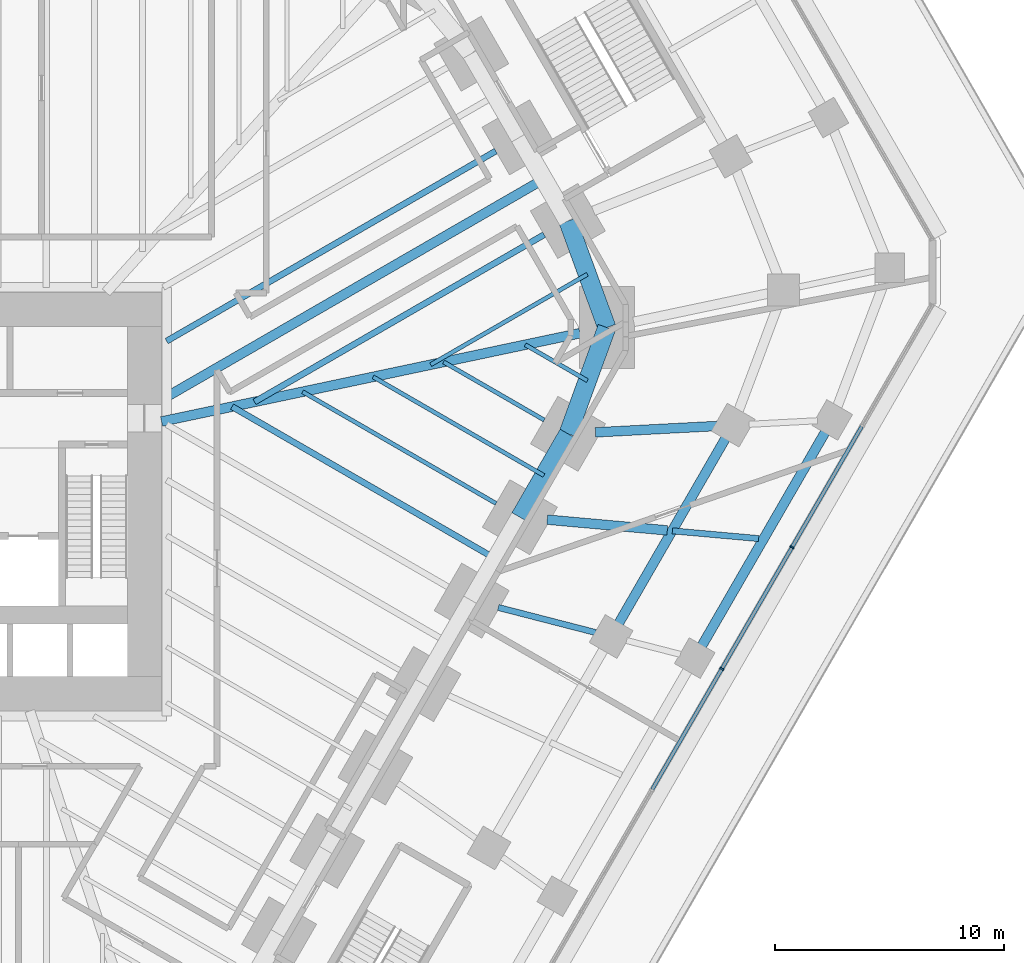
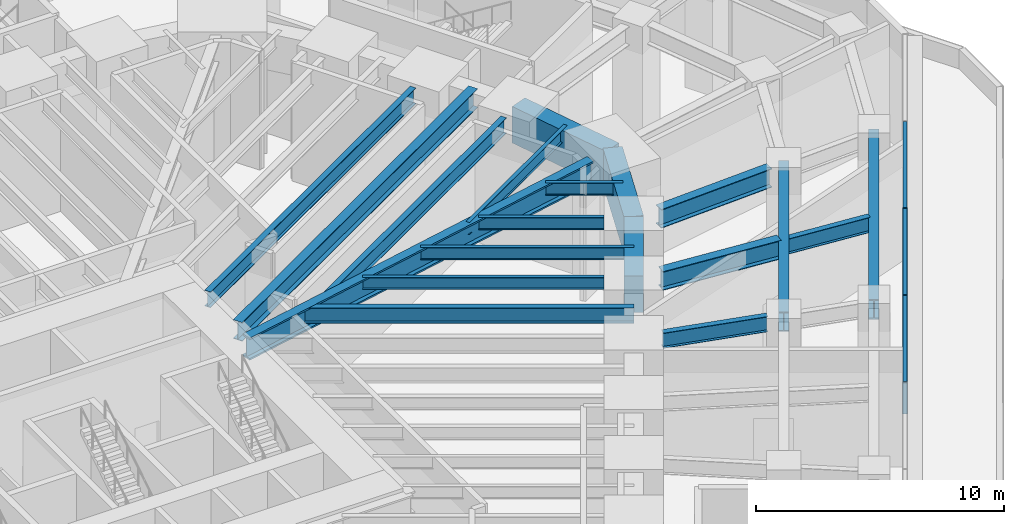
# One storey, part 8 of 25: 19 beams, 5 members, 1 element without a shape of its own.
"""IFC4 building model written with IfcOpenShell, lengths in metres."""

from ifc_helpers import new_model, si_unit, direction, frame, origin, origin_2d, place, context, subcontext, project, spatial, rectangle, i_section, extrude, material, material_profile, profile_set, type_object, element, aggregate, save


model = new_model("IFC4")

# Units and contexts
model_context = context("Model", 3, precision=1e-05, world=origin(), true_north=direction((0.0, 1.0)))
body_context = subcontext(model_context, "Body", "Model", "MODEL_VIEW")
ifc_project = project(units=[si_unit("LENGTHUNIT", "METRE"), si_unit("AREAUNIT", "SQUARE_METRE"), si_unit("VOLUMEUNIT", "CUBIC_METRE"), si_unit("PLANEANGLEUNIT", "RADIAN"), si_unit("MASSUNIT", "GRAM", prefix="KILO")], contexts=[model_context])

# Site, building, storey
site_placement = place(None, origin())
site = spatial("IfcSite", under=ifc_project, at=site_placement, CompositionType="ELEMENT")
building_placement = place(site_placement, origin())
building = spatial("IfcBuilding", under=site, at=building_placement, Name="Sandreach Pilgrim Tower", CompositionType="ELEMENT")
storey_placement = place(building_placement, frame((0.0, 0.0, 6.0)))
storey = spatial("IfcBuildingStorey", under=building, at=storey_placement, Name="L01", CompositionType="ELEMENT", Elevation=6.0)

# Curtain wall, members
ifc_material_1 = material(Name="Aluminium framed curtain wall", Category="aluminium")
curtain_wall_type = type_object("IfcCurtainWallType", Name="Podium storefront curtain wall", PredefinedType="NOTDEFINED", material=ifc_material_1)
curtain_wall_placement = place(storey_placement, origin())
curtain_wall = element("IfcCurtainWall", 1, at=curtain_wall_placement, inside=storey, type_object=curtain_wall_type, Name="CW-P L01 SE", PredefinedType="NOTDEFINED")
ifc_material_2 = material(Name="Aluminium extrusion", Category="aluminium")
ifc_material_profile_1 = material_profile(ifc_material_2, rectangle(XDim=0.070068359375, YDim=0.199951171875, at=origin_2d()), Name="CW-PM 70X200")
ifc_profile_set_1 = profile_set([ifc_material_profile_1], Name="Aluminium extrusion")
member_type_1 = type_object("IfcMemberType", Name="CW-P mullion", PredefinedType="MULLION", material=ifc_profile_set_1)
member_1_placement = place(storey_placement, frame((36.809814453125, -3.5400390625, 0.0), z_axis=(0.0, 0.0, 1.0), x_axis=(-0.5, -0.866025403784, 0.0)))
member_1 = element("IfcMember", 2, at=member_1_placement, type_object=member_type_1, Name="CW-P mullion 3", PredefinedType="MULLION", context=body_context, shape_type="SweptSolid", body=[
    extrude(rectangle(XDim=0.070068359375, YDim=0.199951171875, at=origin_2d()), origin(), (0.0, 0.0, 1.0), 5.840087890625),
])
member_2_placement = place(storey_placement, frame((33.741943359375, -8.853759765625, 0.0), z_axis=(0.0, 0.0, 1.0), x_axis=(-0.5, -0.866025403784, 0.0)))
member_2 = element("IfcMember", 3, at=member_2_placement, type_object=member_type_1, Name="CW-P mullion 4", PredefinedType="MULLION", context=body_context, shape_type="SweptSolid", body=[
    extrude(rectangle(XDim=0.070068359375, YDim=0.199951171875, at=origin_2d()), origin(), (0.0, 0.0, 1.0), 5.840087890625),
])
ifc_material_3 = material(Name="Aluminium extrusion", Category="aluminium")
ifc_material_profile_2 = material_profile(ifc_material_3, rectangle(XDim=0.159912109375, YDim=0.070068359375, at=origin_2d()), Name="CW-PT 160X70")
ifc_profile_set_2 = profile_set([ifc_material_profile_2], Name="Aluminium extrusion")
member_type_2 = type_object("IfcMemberType", Name="CW-P transom", PredefinedType="USERDEFINED", material=ifc_profile_set_2)
member_3_placement = place(storey_placement, frame((39.860107421875, 1.7431640625, 5.804931640625), z_axis=(-0.500022085096, -0.866012652573, 0.0), x_axis=(0.866012652573, -0.500022085096, 0.0)))
member_3 = element("IfcMember", 4, at=member_3_placement, type_object=member_type_2, Name="CW-P head transom 2", ObjectType="TRANSOM", PredefinedType="USERDEFINED", context=body_context, shape_type="SweptSolid", body=[
    extrude(rectangle(XDim=0.159912109375, YDim=0.070068359375, at=origin_2d()), origin(), (0.0, 0.0, 1.0), 6.065673828125),
])
member_4_placement = place(storey_placement, frame((36.792236328125, -3.570556640625, 5.804931640625), z_axis=(-0.500022085096, -0.866012652573, 0.0), x_axis=(0.866012652573, -0.500022085096, 0.0)))
member_4 = element("IfcMember", 5, at=member_4_placement, type_object=member_type_2, Name="CW-P head transom 3", ObjectType="TRANSOM", PredefinedType="USERDEFINED", context=body_context, shape_type="SweptSolid", body=[
    extrude(rectangle(XDim=0.159912109375, YDim=0.070068359375, at=origin_2d()), origin(), (0.0, 0.0, 1.0), 6.065673828125),
])
member_5_placement = place(storey_placement, frame((33.724365234375, -8.884033203125, 5.804931640625), z_axis=(-0.499991897794, -0.866030081544, 0.0), x_axis=(0.866030081544, -0.499991897794, 0.0)))
member_5 = element("IfcMember", 6, at=member_5_placement, type_object=member_type_2, Name="CW-P head transom 4", ObjectType="TRANSOM", PredefinedType="USERDEFINED", context=body_context, shape_type="SweptSolid", body=[
    extrude(rectangle(XDim=0.159912109375, YDim=0.070068359375, at=origin_2d()), origin(), (0.0, 0.0, 1.0), 6.0654296875),
])
aggregate(curtain_wall, [member_1, member_2, member_3, member_4, member_5])

# Beams
ifc_material_4 = material(Name="Steel ASTM A992 Grade 50", Category="steel")
ifc_material_profile_3 = material_profile(ifc_material_4, i_section(OverallWidth=0.424072265625, OverallDepth=1.09228515625, WebThickness=0.04541015625, FlangeThickness=0.08203125, at=origin_2d()), Name="W40X593")
ifc_profile_set_3 = profile_set([ifc_material_profile_3], Name="Steel ASTM A992 Grade 50")
beam_type_1 = type_object("IfcBeamType", Name="Corner girder W40X593", PredefinedType="BEAM", material=ifc_profile_set_3)
beam_1_placement = place(storey_placement, frame((27.53857421875, 5.814208984375, 5.2939453125), z_axis=(-0.978429884383, -0.206579189045, 0.0), x_axis=(0.206579189045, -0.978429884383, 0.0)))
element("IfcBeam", 7, at=beam_1_placement, inside=storey, type_object=beam_type_1, Name="BM L01 CG13", PredefinedType="BEAM", context=body_context, shape_type="SweptSolid", body=[
    extrude(i_section(OverallWidth=0.424072265625, OverallDepth=1.09228515625, WebThickness=0.04541015625, FlangeThickness=0.08203125, at=origin_2d()), origin(), (0.0, 0.0, 1.0), 18.691650390625),
])
ifc_material_5 = material(Name="Steel ASTM A992 Grade 50", Category="steel")
ifc_material_profile_4 = material_profile(ifc_material_5, i_section(OverallWidth=0.1787109375, OverallDepth=0.60205078125, WebThickness=0.010986328125, FlangeThickness=0.014892578125, at=origin_2d()), Name="W24X62")
ifc_profile_set_4 = profile_set([ifc_material_profile_4], Name="Steel ASTM A992 Grade 50")
beam_type_2 = type_object("IfcBeamType", Name="Floor beam W24X62", PredefinedType="BEAM", material=ifc_profile_set_4)
beam_2_placement = place(storey_placement, frame((25.97705078125, 2.016357421875, 5.5390625), z_axis=(-0.866027897259, 0.49999568115, 0.0), x_axis=(-0.49999568115, -0.866027897259, 0.0)))
element("IfcBeam", 8, at=beam_2_placement, inside=storey, type_object=beam_type_2, Name="BM L01 F14", PredefinedType="BEAM", context=body_context, shape_type="SweptSolid", body=[
    extrude(i_section(OverallWidth=0.1787109375, OverallDepth=0.60205078125, WebThickness=0.010986328125, FlangeThickness=0.014892578125, at=origin_2d()), origin(), (0.0, 0.0, 1.0), 5.0791015625),
])
beam_3_placement = place(storey_placement, frame((23.8720703125, -1.629638671875, 5.5390625), z_axis=(-0.866025751498, 0.499999397742, 0.0), x_axis=(-0.499999397742, -0.866025751498, 0.0)))
element("IfcBeam", 9, at=beam_3_placement, inside=storey, type_object=beam_type_2, Name="BM L01 F15", PredefinedType="BEAM", context=body_context, shape_type="SweptSolid", body=[
    extrude(i_section(OverallWidth=0.1787109375, OverallDepth=0.60205078125, WebThickness=0.010986328125, FlangeThickness=0.014892578125, at=origin_2d()), origin(), (0.0, 0.0, 1.0), 9.767578125),
])
beam_4_placement = place(storey_placement, frame((27.861328125, 8.390380859375, 5.5390625), z_axis=(-0.866028778003, -0.499994155636, 0.0), x_axis=(0.499994155636, -0.866028778003, 0.0)))
element("IfcBeam", 10, at=beam_4_placement, inside=storey, type_object=beam_type_2, Name="BM L01 FM12", PredefinedType="BEAM", context=body_context, shape_type="SweptSolid", body=[
    extrude(i_section(OverallWidth=0.1787109375, OverallDepth=0.60205078125, WebThickness=0.010986328125, FlangeThickness=0.014892578125, at=origin_2d()), origin(), (0.0, 0.0, 1.0), 7.90771484375),
])
beam_5_placement = place(storey_placement, frame((27.864501953125, 3.7392578125, 5.5390625), z_axis=(-0.866023718453, 0.500002919068, 0.0), x_axis=(-0.500002919068, -0.866023718453, 0.0)))
element("IfcBeam", 11, at=beam_5_placement, inside=storey, type_object=beam_type_2, Name="BM L01 FM13", PredefinedType="BEAM", context=body_context, shape_type="SweptSolid", body=[
    extrude(i_section(OverallWidth=0.1787109375, OverallDepth=0.60205078125, WebThickness=0.010986328125, FlangeThickness=0.014892578125, at=origin_2d()), origin(), (0.0, 0.0, 1.0), 3.1396484375),
])
beam_6_placement = place(storey_placement, frame((25.9638671875, -0.40673828125, 5.5390625), z_axis=(-0.866020100198, 0.500009185969, 0.0), x_axis=(-0.500009185969, -0.866020100198, 0.0)))
element("IfcBeam", 12, at=beam_6_placement, inside=storey, type_object=beam_type_2, Name="BM L01 FM14", PredefinedType="BEAM", context=body_context, shape_type="SweptSolid", body=[
    extrude(i_section(OverallWidth=0.1787109375, OverallDepth=0.60205078125, WebThickness=0.010986328125, FlangeThickness=0.014892578125, at=origin_2d()), origin(), (0.0, 0.0, 1.0), 8.623291015625),
])
ifc_material_6 = material(Name="Steel ASTM A992 Grade 50", Category="steel")
ifc_material_profile_5 = material_profile(ifc_material_6, i_section(OverallWidth=0.2666015625, OverallDepth=0.761962890625, WebThickness=0.014404296875, FlangeThickness=0.021484375, at=origin_2d()), Name="W30X116")
ifc_profile_set_5 = profile_set([ifc_material_profile_5], Name="Steel ASTM A992 Grade 50")
beam_type_3 = type_object("IfcBeamType", Name="Floor beam W30X116", PredefinedType="BEAM", material=ifc_profile_set_5)
beam_7_placement = place(storey_placement, frame((25.970947265625, 10.118896484375, 5.458984375), z_axis=(-0.866020355572, -0.500008743658, 0.0), x_axis=(0.500008743658, -0.866020355572, 0.0)))
element("IfcBeam", 13, at=beam_7_placement, inside=storey, type_object=beam_type_3, Name="BM L01 F12", PredefinedType="BEAM", context=body_context, shape_type="SweptSolid", body=[
    extrude(i_section(OverallWidth=0.2666015625, OverallDepth=0.761962890625, WebThickness=0.014404296875, FlangeThickness=0.021484375, at=origin_2d()), origin(), (0.0, 0.0, 1.0), 14.615966796875),
])
beam_8_placement = place(storey_placement, frame((23.85888671875, -4.052490234375, 5.458984375), z_axis=(-0.866029213426, 0.499993401449, 0.0), x_axis=(-0.499993401449, -0.866029213426, 0.0)))
element("IfcBeam", 14, at=beam_8_placement, inside=storey, type_object=beam_type_3, Name="BM L01 FM15", PredefinedType="BEAM", context=body_context, shape_type="SweptSolid", body=[
    extrude(i_section(OverallWidth=0.2666015625, OverallDepth=0.761962890625, WebThickness=0.014404296875, FlangeThickness=0.021484375, at=origin_2d()), origin(), (0.0, 0.0, 1.0), 13.311767578125),
])
ifc_material_7 = material(Name="Steel ASTM A992 Grade 50", Category="steel")
ifc_material_profile_6 = material_profile(ifc_material_7, i_section(OverallWidth=0.2666015625, OverallDepth=0.77978515625, WebThickness=0.0166015625, FlangeThickness=0.030029296875, at=origin_2d()), Name="W30X148")
ifc_profile_set_6 = profile_set([ifc_material_profile_6], Name="Steel ASTM A992 Grade 50")
beam_type_4 = type_object("IfcBeamType", Name="Floor beam W30X148", PredefinedType="BEAM", material=ifc_profile_set_6)
beam_9_placement = place(storey_placement, frame((23.85986328125, 13.775390625, 5.4501953125), z_axis=(-0.866027987673, -0.499995524547, 0.0), x_axis=(0.499995524547, -0.866027987673, 0.0)))
element("IfcBeam", 15, at=beam_9_placement, inside=storey, type_object=beam_type_4, Name="BM L01 F11", PredefinedType="BEAM", context=body_context, shape_type="SweptSolid", body=[
    extrude(i_section(OverallWidth=0.2666015625, OverallDepth=0.77978515625, WebThickness=0.0166015625, FlangeThickness=0.030029296875, at=origin_2d()), origin(), (0.0, 0.0, 1.0), 16.613525390625),
])
ifc_material_8 = material(Name="Steel ASTM A992 Grade 50", Category="steel")
ifc_material_profile_7 = material_profile(ifc_material_8, i_section(OverallWidth=0.419189453125, OverallDepth=0.927001953125, WebThickness=0.019287109375, FlangeThickness=0.031982421875, at=origin_2d()), Name="W36X231")
ifc_profile_set_7 = profile_set([ifc_material_profile_7], Name="Steel ASTM A992 Grade 50")
beam_type_5 = type_object("IfcBeamType", Name="Floor beam W36X231", PredefinedType="BEAM", material=ifc_profile_set_7)
beam_10_placement = place(storey_placement, frame((25.95458984375, 12.547119140625, 5.37646484375), z_axis=(-0.866025800233, -0.499999313329, 0.0), x_axis=(0.499999313329, -0.866025800233, 0.0)))
element("IfcBeam", 16, at=beam_10_placement, inside=storey, type_object=beam_type_5, Name="BM L01 FM11", PredefinedType="BEAM", context=body_context, shape_type="SweptSolid", body=[
    extrude(i_section(OverallWidth=0.419189453125, OverallDepth=0.927001953125, WebThickness=0.019287109375, FlangeThickness=0.031982421875, at=origin_2d()), origin(), (0.0, 0.0, 1.0), 19.0322265625),
])
ifc_material_9 = material(Name="Steel ASTM A992 Grade 50", Category="steel")
ifc_material_profile_8 = material_profile(ifc_material_9, i_section(OverallWidth=0.2666015625, OverallDepth=0.7568359375, WebThickness=0.013916015625, FlangeThickness=0.019287109375, at=origin_2d()), Name="W30X108")
ifc_profile_set_8 = profile_set([ifc_material_profile_8], Name="Steel ASTM A992 Grade 50")
beam_type_6 = type_object("IfcBeamType", Name="Podium beam W30X108", PredefinedType="BEAM", material=ifc_profile_set_8)
beam_11_placement = place(storey_placement, frame((23.968505859375, -6.1748046875, 5.46142578125), z_axis=(0.9683748542, -0.249499783074, 0.0), x_axis=(0.249499783074, 0.9683748542, 0.0)))
element("IfcBeam", 17, at=beam_11_placement, inside=storey, type_object=beam_type_6, Name="BM L01 PR125-16", PredefinedType="BEAM", context=body_context, shape_type="SweptSolid", body=[
    extrude(i_section(OverallWidth=0.2666015625, OverallDepth=0.7568359375, WebThickness=0.013916015625, FlangeThickness=0.019287109375, at=origin_2d()), origin(), (0.0, 0.0, 1.0), 4.392578125),
])
beam_12_placement = place(storey_placement, frame((31.579345703125, -2.826416015625, 5.37158203125), z_axis=(0.996017576927, -0.089157088627, 0.0), x_axis=(0.089157088627, 0.996017576927, 0.0)))
element("IfcBeam", 18, at=beam_12_placement, inside=storey, type_object=beam_type_6, Name="BM L01 PR140-15", PredefinedType="BEAM", context=body_context, shape_type="SweptSolid", body=[
    extrude(i_section(OverallWidth=0.2666015625, OverallDepth=0.7568359375, WebThickness=0.013916015625, FlangeThickness=0.019287109375, at=origin_2d()), origin(), (0.0, 0.0, 1.0), 3.784423828125),
])
ifc_material_10 = material(Name="Steel ASTM A992 Grade 50", Category="steel")
ifc_material_profile_9 = material_profile(ifc_material_10, i_section(OverallWidth=0.419189453125, OverallDepth=0.927001953125, WebThickness=0.019287109375, FlangeThickness=0.031982421875, at=origin_2d()), Name="W36X231")
ifc_profile_set_9 = profile_set([ifc_material_profile_9], Name="Steel ASTM A992 Grade 50")
beam_type_7 = type_object("IfcBeamType", Name="Podium beam W36X231", PredefinedType="BEAM", material=ifc_profile_set_9)
beam_13_placement = place(storey_placement, frame((28.214599609375, 1.47900390625, 5.37646484375), z_axis=(0.998627810004, 0.052368856067, 0.0), x_axis=(-0.052368856067, 0.998627810004, 0.0)))
element("IfcBeam", 19, at=beam_13_placement, inside=storey, type_object=beam_type_7, Name="BM L01 PR125-14", PredefinedType="BEAM", context=body_context, shape_type="SweptSolid", body=[
    extrude(i_section(OverallWidth=0.419189453125, OverallDepth=0.927001953125, WebThickness=0.019287109375, FlangeThickness=0.031982421875, at=origin_2d()), origin(), (0.0, 0.0, 1.0), 5.32861328125),
])
beam_14_placement = place(storey_placement, frame((26.106689453125, -2.336669921875, 5.37646484375), z_axis=(0.996020541278, -0.089123966209, 0.0), x_axis=(0.089123966209, 0.996020541278, 0.0)))
element("IfcBeam", 20, at=beam_14_placement, inside=storey, type_object=beam_type_7, Name="BM L01 PR125-15", PredefinedType="BEAM", context=body_context, shape_type="SweptSolid", body=[
    extrude(i_section(OverallWidth=0.419189453125, OverallDepth=0.927001953125, WebThickness=0.019287109375, FlangeThickness=0.031982421875, at=origin_2d()), origin(), (0.0, 0.0, 1.0), 5.2705078125),
])
ifc_material_11 = material(Name="Steel ASTM A992 Grade 50", Category="steel")
ifc_material_profile_10 = material_profile(ifc_material_11, i_section(OverallWidth=0.424072265625, OverallDepth=0.947509765625, WebThickness=0.02392578125, FlangeThickness=0.042724609375, at=origin_2d()), Name="W36X302")
ifc_profile_set_10 = profile_set([ifc_material_profile_10], Name="Steel ASTM A992 Grade 50")
beam_type_8 = type_object("IfcBeamType", Name="Podium edge beam W36X302", PredefinedType="BEAM", material=ifc_profile_set_10)
beam_15_placement = place(storey_placement, frame((34.23486328125, 1.794677734375, 5.3662109375), z_axis=(-0.500000418093, -0.866025162398, 0.0), x_axis=(0.866025162398, -0.500000418093, 0.0)))
element("IfcBeam", 21, at=beam_15_placement, inside=storey, type_object=beam_type_8, Name="BM L01 PE125-14", PredefinedType="BEAM", context=body_context, shape_type="SweptSolid", body=[
    extrude(i_section(OverallWidth=0.424072265625, OverallDepth=0.947509765625, WebThickness=0.02392578125, FlangeThickness=0.042724609375, at=origin_2d()), origin(), (0.0, 0.0, 1.0), 10.66943359375),
])
ifc_material_12 = material(Name="Steel ASTM A992 Grade 50", Category="steel")
ifc_material_profile_11 = material_profile(ifc_material_12, i_section(OverallWidth=0.4267578125, OverallDepth=0.975341796875, WebThickness=0.031005859375, FlangeThickness=0.055908203125, at=origin_2d()), Name="W36X395")
ifc_profile_set_11 = profile_set([ifc_material_profile_11], Name="Steel ASTM A992 Grade 50")
beam_type_9 = type_object("IfcBeamType", Name="Podium edge beam W36X395", PredefinedType="BEAM", material=ifc_profile_set_11)
beam_16_placement = place(storey_placement, frame((38.56591796875, 2.021728515625, 5.26220703125), z_axis=(-0.500010226345, -0.866019499521, 0.0), x_axis=(0.866019499521, -0.500010226345, 0.0)))
element("IfcBeam", 22, at=beam_16_placement, inside=storey, type_object=beam_type_9, Name="BM L01 PE140-14", PredefinedType="BEAM", context=body_context, shape_type="SweptSolid", body=[
    extrude(i_section(OverallWidth=0.4267578125, OverallDepth=0.975341796875, WebThickness=0.031005859375, FlangeThickness=0.055908203125, at=origin_2d()), origin(), (0.0, 0.0, 1.0), 12.019287109375),
])
ifc_material_13 = material(Name="Concrete 10000 psi", Category="concrete")
ifc_material_profile_12 = material_profile(ifc_material_13, rectangle(XDim=0.800048828125, YDim=1.800048828125, at=origin_2d()), Name="RC800X1800")
ifc_profile_set_12 = profile_set([ifc_material_profile_12], Name="Concrete 10000 psi")
beam_type_10 = type_object("IfcBeamType", Name="Spandrel beam RC800X1800", PredefinedType="SPANDREL", material=ifc_profile_set_12)
beam_17_placement = place(storey_placement, frame((27.01025390625, 10.71875, 4.93994140625), z_axis=(0.343367552823, -0.939201109278, 0.0), x_axis=(0.939201109278, 0.343367552823, 0.0)))
element("IfcBeam", 23, at=beam_17_placement, inside=storey, type_object=beam_type_10, Name="BM L01 SP12", PredefinedType="SPANDREL", context=body_context, shape_type="SweptSolid", body=[
    extrude(rectangle(XDim=0.800048828125, YDim=1.800048828125, at=origin_2d()), origin(), (0.0, 0.0, 1.0), 4.9580078125),
])
beam_18_placement = place(storey_placement, frame((28.712646484375, 6.062255859375, 4.93994140625), z_axis=(-0.342963480301, -0.939348737786, 0.0), x_axis=(0.939348737786, -0.342963480301, 0.0)))
element("IfcBeam", 24, at=beam_18_placement, inside=storey, type_object=beam_type_10, Name="BM L01 SP13", PredefinedType="SPANDREL", context=body_context, shape_type="SweptSolid", body=[
    extrude(rectangle(XDim=0.800048828125, YDim=1.800048828125, at=origin_2d()), origin(), (0.0, 0.0, 1.0), 4.946044921875),
])
beam_19_placement = place(storey_placement, frame((27.016357421875, 1.416259765625, 4.93994140625), z_axis=(-0.499993523031, -0.866029143232, 0.0), x_axis=(0.866029143232, -0.499993523031, 0.0)))
element("IfcBeam", 25, at=beam_19_placement, inside=storey, type_object=beam_type_10, Name="BM L01 SP14", PredefinedType="SPANDREL", context=body_context, shape_type="SweptSolid", body=[
    extrude(rectangle(XDim=0.800048828125, YDim=1.800048828125, at=origin_2d()), origin(), (0.0, 0.0, 1.0), 4.2099609375),
])

save(model, "model.ifc")
